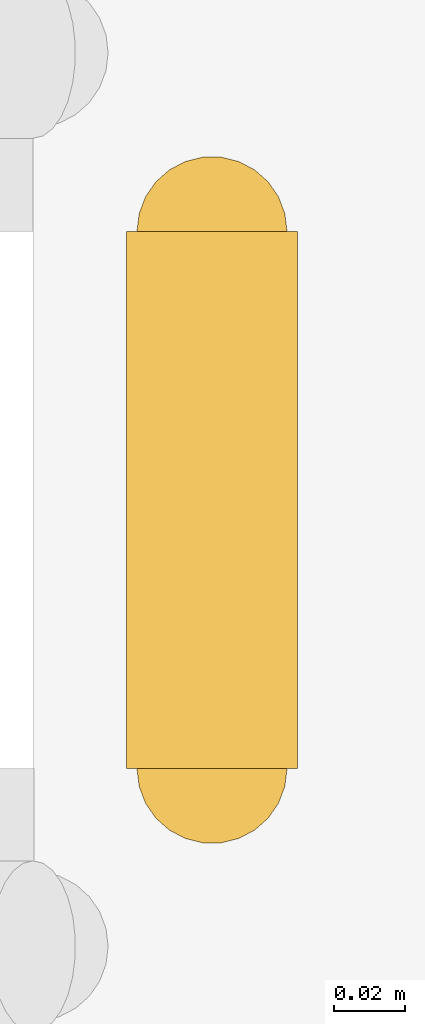
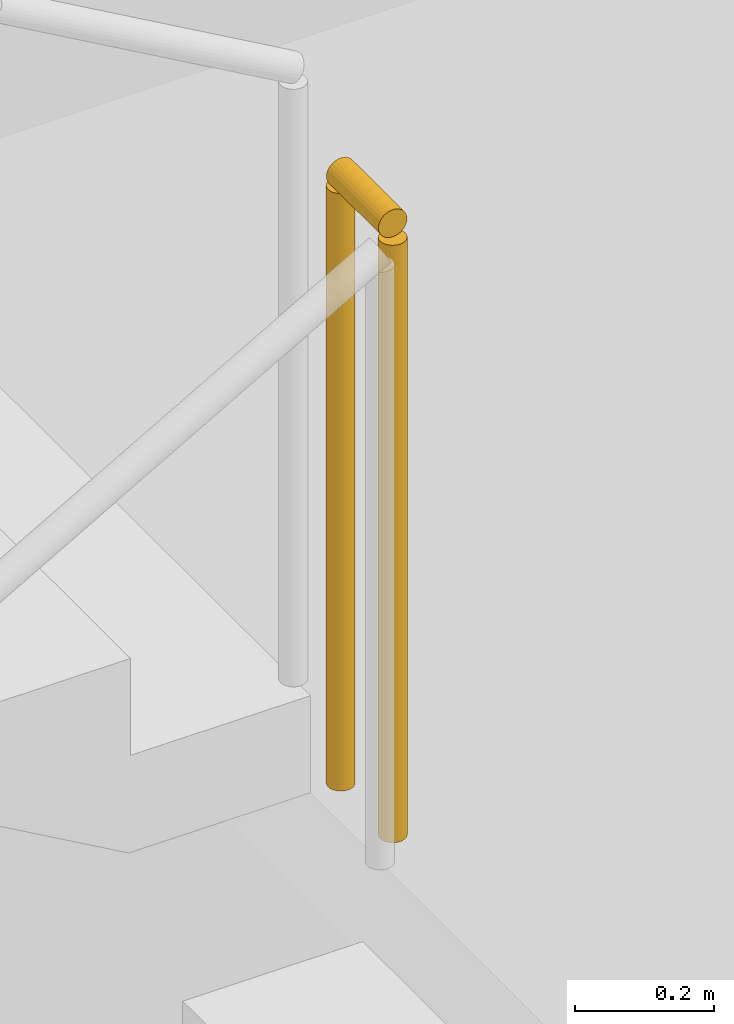
# One storey, part 40 of 42: 1 railing.
"""IFC4 building model written with IfcOpenShell, lengths in metres."""

from ifc_helpers import new_model, si_unit, direction, frame, origin, origin_2d, place, context, subcontext, project, spatial, circle, extrude, material, type_object, element, save


model = new_model("IFC4")

# Units and contexts
model_context = context("Model", 3, precision=1e-05, world=origin(), true_north=direction((0.0, 1.0)))
body_context = subcontext(model_context, "Body", "Model", "MODEL_VIEW")
ifc_project = project(units=[si_unit("LENGTHUNIT", "METRE"), si_unit("AREAUNIT", "SQUARE_METRE"), si_unit("VOLUMEUNIT", "CUBIC_METRE"), si_unit("PLANEANGLEUNIT", "RADIAN"), si_unit("MASSUNIT", "GRAM", prefix="KILO")], contexts=[model_context])

# Site, building, storey
site_placement = place(None, origin())
site = spatial("IfcSite", under=ifc_project, at=site_placement, CompositionType="ELEMENT")
building_placement = place(site_placement, origin())
building = spatial("IfcBuilding", under=site, at=building_placement, Name="Corbel Stack Research Tower", CompositionType="ELEMENT")
storey_placement = place(building_placement, frame((0.0, 0.0, 11.300048828125)))
storey = spatial("IfcBuildingStorey", under=building, at=storey_placement, Name="L02", CompositionType="ELEMENT", Elevation=11.300048828125)

# Railing
ifc_material = material(Name="Steel S235", Category="steel")
railing_type = type_object("IfcRailingType", Name="HR1 guard 1100", PredefinedType="GUARDRAIL", material=ifc_material)
railing_placement = place(storey_placement, frame((98.824951171875, -21.85009765625, 2.050048828125)))
element("IfcRailing", 1, at=railing_placement, inside=storey, type_object=railing_type, Name="L02 HS3 stair guard 2", PredefinedType="GUARDRAIL", context=body_context, shape_type="SweptSolid", body=[
    extrude(circle(Radius=0.02392578125, at=origin_2d()), frame((0.0, 0.0, 1.076171875), z_axis=(0.0, 1.0, 0.0), x_axis=(-1.0, 0.0, 0.0)), (0.0, 0.0, 1.0), 0.150146484375),
    extrude(circle(Radius=0.02099609375, at=origin_2d()), origin(), (0.0, 0.0, 1.0), 1.052001953125),
    extrude(circle(Radius=0.02099609375, at=origin_2d()), frame((0.0, 0.150146484375, 0.0)), (0.0, 0.0, 1.0), 1.052001953125),
])

save(model, "model.ifc")
